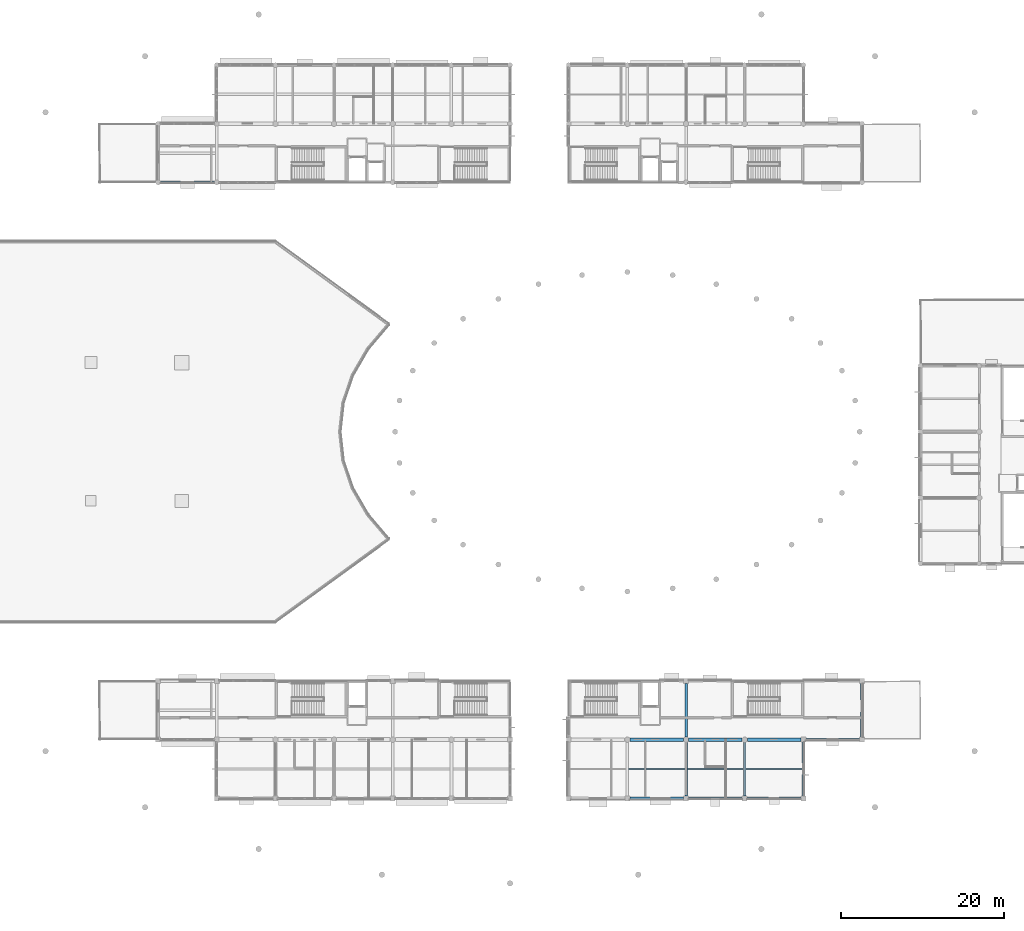
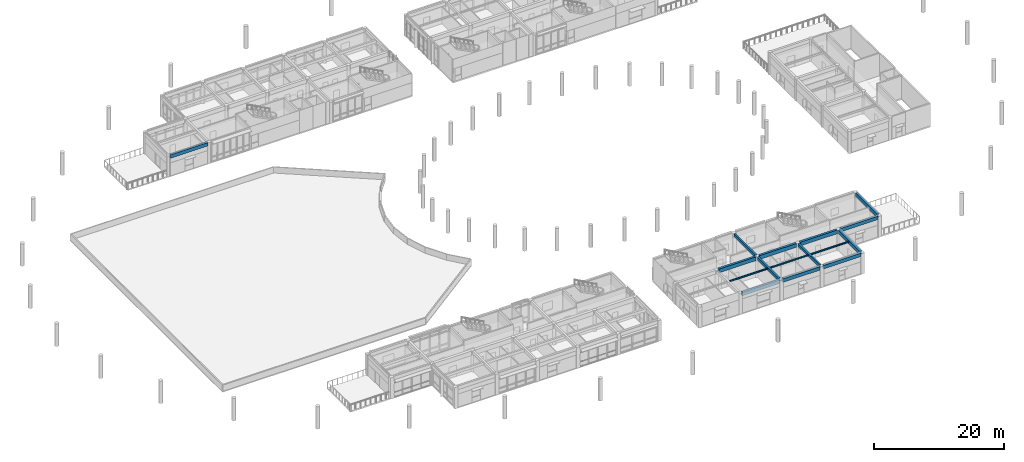
# One storey, part 7 of 55: 16 beams.
"""IFC4 building model written with IfcOpenShell, lengths in metres."""

from ifc_helpers import new_model, si_unit, direction, frame, origin, origin_2d, place, context, subcontext, project, spatial, rectangle, i_section, extrude, material, material_profile, profile_set, type_object, element, save


model = new_model("IFC4")

# Units and contexts
model_context = context("Model", 3, precision=1e-05, world=origin(), true_north=direction((0.0, 1.0)))
body_context = subcontext(model_context, "Body", "Model", "MODEL_VIEW")
ifc_project = project(units=[si_unit("LENGTHUNIT", "METRE"), si_unit("AREAUNIT", "SQUARE_METRE"), si_unit("VOLUMEUNIT", "CUBIC_METRE"), si_unit("PLANEANGLEUNIT", "RADIAN"), si_unit("MASSUNIT", "GRAM", prefix="KILO")], contexts=[model_context])

# Site, building, storey
site_placement = place(None, origin())
site = spatial("IfcSite", under=ifc_project, at=site_placement, CompositionType="ELEMENT")
building_placement = place(site_placement, origin())
building = spatial("IfcBuilding", under=site, at=building_placement, Name="Namkhue Oval Health Centre", CompositionType="ELEMENT")
storey_placement = place(building_placement, frame((0.0, 0.0, 9.60009765625)))
storey = spatial("IfcBuildingStorey", under=building, at=storey_placement, Name="L02", CompositionType="ELEMENT", Elevation=9.60009765625)

# Beams
ifc_material_1 = material(Name="Reinforced concrete C30/37 (TCVN B35)", Category="concrete")
ifc_material_profile_1 = material_profile(ifc_material_1, rectangle(XDim=0.300048828125, YDim=0.550048828125, at=origin_2d()), Name="RC 300x550")
ifc_profile_set_1 = profile_set([ifc_material_profile_1], Name="Reinforced concrete C30/37 (TCVN B35)")
beam_type_1 = type_object("IfcBeamType", Name="FLOOR BEAM RC 300X550", PredefinedType="BEAM", material=ifc_profile_set_1)
for number, where, z_axis, x_axis, name in (
    (1, (108.0, 14.699951171875, 3.60986328125), (0.0, 1.0, 0.0), (-1.0, 0.0, 0.0), "Volume V5 L03 Beam 16/C-D"),
    (2, (108.0, 21.925048828125, 3.60986328125), (0.0, 1.0, 0.0), (-1.0, 0.0, 0.0), "Volume V5 L03 Beam 16/D-E"),
    (3, (115.199951171875, 14.699951171875, 3.60986328125), (0.0, 1.0, 0.0), (-1.0, 0.0, 0.0), "Volume V5 L03 Beam 17/C-D"),
):
    element("IfcBeam", number, at=place(storey_placement, frame(where, z_axis=z_axis, x_axis=x_axis)), inside=storey, type_object=beam_type_1, Name=name, PredefinedType="BEAM", context=body_context, shape_type="SweptSolid", body=[
        extrude(rectangle(XDim=0.300048828125, YDim=0.550048828125, at=origin_2d()), origin(), (0.0, 0.0, 1.0), 6.574951171875),
    ])
ifc_material_2 = material(Name="Reinforced concrete C35/45 (TCVN B40)", Category="concrete")
ifc_material_profile_2 = material_profile(ifc_material_2, rectangle(XDim=0.35009765625, YDim=0.64990234375, at=origin_2d()), Name="RC 350x650")
ifc_profile_set_2 = profile_set([ifc_material_profile_2], Name="Reinforced concrete C35/45 (TCVN B40)")
beam_type_2 = type_object("IfcBeamType", Name="PERIMETER SPANDREL BEAM 350X650", PredefinedType="SPANDREL", material=ifc_profile_set_2)
beam_1_placement = place(storey_placement, frame((43.5, 90.0, 3.65283203125), z_axis=(1.0, 0.0, 0.0), x_axis=(0.0, 1.0, 0.0)))
element("IfcBeam", 4, at=beam_1_placement, inside=storey, type_object=beam_type_2, Name="Volume V2 L03 Girder N/7-8", PredefinedType="SPANDREL", context=body_context, shape_type="SweptSolid", body=[
    extrude(rectangle(XDim=0.35009765625, YDim=0.64990234375, at=origin_2d()), origin(), (0.0, 0.0, 1.0), 6.60009765625),
])
for number, where, z_axis, x_axis, name in (
    (5, (101.10009765625, 14.39990234375, 3.559814453125), (1.0, 0.0, 0.0), (0.0, 1.0, 0.0), "Volume V5 L03 Girder C/15-16"),
    (6, (108.300048828125, 14.39990234375, 3.559814453125), (1.0, 0.0, 0.0), (0.0, 1.0, 0.0), "Volume V5 L03 Girder C/16-17"),
):
    element("IfcBeam", number, at=place(storey_placement, frame(where, z_axis=z_axis, x_axis=x_axis)), inside=storey, type_object=beam_type_2, Name=name, PredefinedType="SPANDREL", context=body_context, shape_type="SweptSolid", body=[
        extrude(rectangle(XDim=0.35009765625, YDim=0.64990234375, at=origin_2d()), origin(), (0.0, 0.0, 1.0), 6.599853515625),
    ])
for number, where, z_axis, x_axis, name in (
    (7, (115.5, 14.39990234375, 3.559814453125), (1.0, 0.0, 0.0), (0.0, 1.0, 0.0), "Volume V5 L03 Girder C/17-18"),
    (8, (122.699951171875, 21.60009765625, 3.60693359375), (1.0, 0.0, 0.0), (0.0, 1.0, 0.0), "Volume V5 L03 Girder D/18-19"),
    (9, (122.39990234375, 14.699951171875, 3.559814453125), (0.0, 1.0, 0.0), (-1.0, 0.0, 0.0), "Volume V5 L03 Beam 18/C-D"),
    (10, (129.60009765625, 21.89990234375, 3.60693359375), (0.0, 1.0, 0.0), (-1.0, 0.0, 0.0), "Volume V5 L03 Beam 19/D-E"),
):
    element("IfcBeam", number, at=place(storey_placement, frame(where, z_axis=z_axis, x_axis=x_axis)), inside=storey, type_object=beam_type_2, Name=name, PredefinedType="SPANDREL", context=body_context, shape_type="SweptSolid", body=[
        extrude(rectangle(XDim=0.35009765625, YDim=0.64990234375, at=origin_2d()), origin(), (0.0, 0.0, 1.0), 6.60009765625),
    ])
ifc_material_profile_3 = material_profile(ifc_material_2, rectangle(XDim=0.39990234375, YDim=0.699951171875, at=origin_2d()), Name="RC 400x700")
ifc_profile_set_3 = profile_set([ifc_material_profile_3], Name="Reinforced concrete C35/45 (TCVN B40)")
beam_type_3 = type_object("IfcBeamType", Name="PRIMARY GIRDER RC 400X700", PredefinedType="USERDEFINED", material=ifc_profile_set_3)
for number, where, z_axis, x_axis, name in (
    (11, (101.125, 21.60009765625, 3.534912109375), (1.0, 0.0, 0.0), (0.0, 1.0, 0.0), "Volume V5 L03 Girder D/15-16"),
    (12, (108.324951171875, 21.60009765625, 3.534912109375), (1.0, 0.0, 0.0), (0.0, 1.0, 0.0), "Volume V5 L03 Girder D/16-17"),
):
    element("IfcBeam", number, at=place(storey_placement, frame(where, z_axis=z_axis, x_axis=x_axis)), inside=storey, type_object=beam_type_3, Name=name, ObjectType="GIRDER", PredefinedType="USERDEFINED", context=body_context, shape_type="SweptSolid", body=[
        extrude(rectangle(XDim=0.39990234375, YDim=0.699951171875, at=origin_2d()), origin(), (0.0, 0.0, 1.0), 6.550048828125),
    ])
beam_2_placement = place(storey_placement, frame((115.52490234375, 21.60009765625, 3.534912109375), z_axis=(1.0, 0.0, 0.0), x_axis=(0.0, 1.0, 0.0)))
element("IfcBeam", 13, at=beam_2_placement, inside=storey, type_object=beam_type_3, Name="Volume V5 L03 Girder D/17-18", ObjectType="GIRDER", PredefinedType="USERDEFINED", context=body_context, shape_type="SweptSolid", body=[
    extrude(rectangle(XDim=0.39990234375, YDim=0.699951171875, at=origin_2d()), origin(), (0.0, 0.0, 1.0), 6.5751953125),
])
ifc_material_3 = material(Name="Structural steel EN 10025-2 S355JR (TCVN 5575:2024)", Category="steel")
ifc_material_profile_4 = material_profile(ifc_material_3, i_section(OverallWidth=0.14990234375, OverallDepth=0.300048828125, WebThickness=0.007080078125, FlangeThickness=0.0107421875, FilletRadius=0.014892578125, at=origin_2d()), Name="IPE 300")
ifc_profile_set_4 = profile_set([ifc_material_profile_4], Name="Structural steel EN 10025-2 S355JR (TCVN 5575:2024)")
beam_type_4 = type_object("IfcBeamType", Name="SECONDARY JOIST STEEL IPE 300", PredefinedType="JOIST", material=ifc_profile_set_4)
for number, where, z_axis, x_axis, name in (
    (14, (100.949951171875, 18.0, 3.73486328125), (1.0, 0.0, 0.0), (0.0, 1.0, 0.0), "Volume V5 L03 Secondary Joist 15-16"),
    (15, (108.14990234375, 18.0, 3.73486328125), (1.0, 0.0, 0.0), (0.0, 1.0, 0.0), "Volume V5 L03 Secondary Joist 16-17"),
):
    element("IfcBeam", number, at=place(storey_placement, frame(where, z_axis=z_axis, x_axis=x_axis)), inside=storey, type_object=beam_type_4, Name=name, PredefinedType="JOIST", context=body_context, shape_type="SweptSolid", body=[
        extrude(i_section(OverallWidth=0.14990234375, OverallDepth=0.300048828125, WebThickness=0.007080078125, FlangeThickness=0.0107421875, FilletRadius=0.014892578125, at=origin_2d()), origin(), (0.0, 0.0, 1.0), 6.900146484375),
    ])
beam_3_placement = place(storey_placement, frame((115.35009765625, 18.0, 3.73486328125), z_axis=(1.0, 0.0, 0.0), x_axis=(0.0, 1.0, 0.0)))
element("IfcBeam", 16, at=beam_3_placement, inside=storey, type_object=beam_type_4, Name="Volume V5 L03 Secondary Joist 17-18", PredefinedType="JOIST", context=body_context, shape_type="SweptSolid", body=[
    extrude(i_section(OverallWidth=0.14990234375, OverallDepth=0.300048828125, WebThickness=0.007080078125, FlangeThickness=0.0107421875, FilletRadius=0.014892578125, at=origin_2d()), origin(), (0.0, 0.0, 1.0), 6.875),
])

save(model, "model.ifc")
